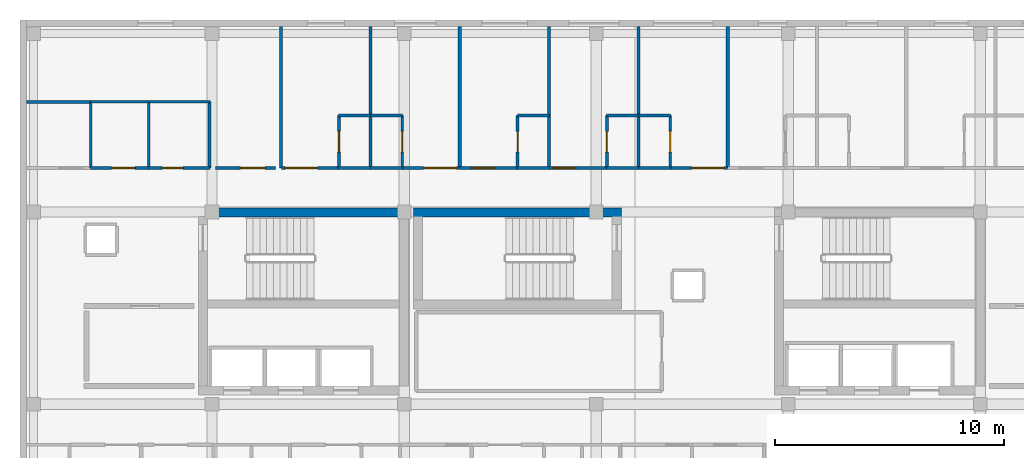
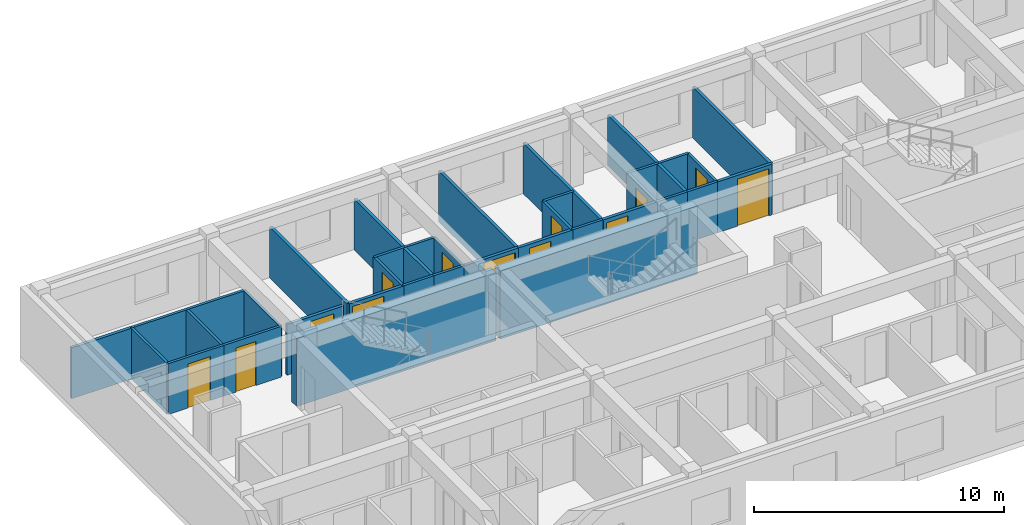
# One storey, part 4 of 9: 37 walls, 13 doors, 13 openings.
"""IFC4 building model written with IfcOpenShell, lengths in metres."""

import ifcopenshell
import ifcopenshell.guid

model = None  # the IFC model being written
_history = None  # IfcOwnerHistory: only IFC2X3 demands one
_inside = {}  # id of a spatial element -> (the spatial element, [elements in it])
_under = {}  # id of a project, library or spatial element -> (it, [spatial elements below it])
_declared = {}  # id of a project -> (the project, [libraries it declares])
_typed = {}  # id of a type object -> (the type object, [elements of that type])
_made_of = {}  # id of a material, layer set ... -> (it, [elements and type objects made of it])


def new_model(schema):
    """Start an empty IFC model of exactly this schema.

    Asked for "IFC4X3", IfcOpenShell would pick the latest addendum, in which some entities
    have other attributes; the version numbers below select the first issue.
    IFC2X3 requires an IfcOwnerHistory on every rooted entity: one is made here for all.
    """
    global model, _history
    if schema == "IFC4X3":
        model = ifcopenshell.file(schema_version=(4, 3, 0, 0))
    else:
        model = ifcopenshell.file(schema=schema)
    _inside.clear()
    _under.clear()
    _declared.clear()
    _typed.clear()
    _made_of.clear()
    _history = None
    if model.schema == "IFC2X3":
        org = make("IfcOrganization", Name="unknown")
        user = make(
            "IfcPersonAndOrganization",
            ThePerson=make("IfcPerson", FamilyName="unknown"),
            TheOrganization=org,
        )
        app = make(
            "IfcApplication",
            ApplicationDeveloper=org,
            Version="unknown",
            ApplicationFullName="unknown",
            ApplicationIdentifier="unknown",
        )
        _history = make(
            "IfcOwnerHistory",
            OwningUser=user,
            OwningApplication=app,
            ChangeAction="ADDED",
            CreationDate=0,
        )
    return model


def make(cls, **values):
    """One entity of the class cls with the attributes given. An attribute that is None is left unset."""
    return model.create_entity(
        cls, **{name: value for name, value in values.items() if value is not None}
    )


def rooted(cls, **values):
    """An entity with a GlobalId (a new one), such as an element, a storey or a relation."""
    return make(cls, GlobalId=ifcopenshell.guid.new(), OwnerHistory=_history, **values)


def si_unit(unit_type, name, prefix=None):
    """IfcSIUnit, for example si_unit("LENGTHUNIT", "METRE", prefix="MILLI")."""
    return make("IfcSIUnit", UnitType=unit_type, Prefix=prefix, Name=name)


def assignment(units):
    """IfcUnitAssignment: the units of a project."""
    return None if units is None else make("IfcUnitAssignment", Units=units)


def point(xyz):
    """IfcCartesianPoint."""
    return None if xyz is None else make("IfcCartesianPoint", Coordinates=xyz)


def direction(xyz):
    """IfcDirection."""
    return None if xyz is None else make("IfcDirection", DirectionRatios=xyz)


def frame(location, z_axis=None, x_axis=None):
    """IfcAxis2Placement3D, a coordinate frame: its origin and axes. An axis left out is left unset."""
    return make(
        "IfcAxis2Placement3D",
        Location=point(location),
        Axis=direction(z_axis),
        RefDirection=direction(x_axis),
    )


def frame_2d(location, x_axis=None):
    """IfcAxis2Placement2D, a coordinate frame in the plane: its origin and x axis."""
    return make(
        "IfcAxis2Placement2D", Location=point(location), RefDirection=direction(x_axis)
    )


def origin():
    """The frame at (0, 0, 0) with its axes left unset."""
    return frame((0.0, 0.0, 0.0))


def place(relative_to, where):
    """IfcLocalPlacement: puts the frame where relative to a parent placement (None: the world)."""
    return make(
        "IfcLocalPlacement", PlacementRelTo=relative_to, RelativePlacement=where
    )


def context(
    kind, dimensions, precision=None, world=None, true_north=None, identifier=None
):
    """IfcGeometricRepresentationContext, for example the 3D "Model" context."""
    return make(
        "IfcGeometricRepresentationContext",
        ContextIdentifier=identifier,
        ContextType=kind,
        CoordinateSpaceDimension=dimensions,
        Precision=precision,
        WorldCoordinateSystem=world,
        TrueNorth=true_north,
    )


def subcontext(parent, identifier, kind, view, scale=None):
    """IfcGeometricRepresentationSubContext, for example "Body" below "Model"."""
    return make(
        "IfcGeometricRepresentationSubContext",
        ContextIdentifier=identifier,
        ContextType=kind,
        ParentContext=parent,
        TargetScale=scale,
        TargetView=view,
    )


def project(units=None, contexts=None):
    """IfcProject with its units and contexts."""
    return rooted(
        "IfcProject",
        Name="project",
        RepresentationContexts=contexts,
        UnitsInContext=assignment(units),
    )


def spatial(cls, under=None, at=None, **own):
    """A site, building, storey or space (cls), placed at a placement, below another one or the project."""
    s = rooted(cls, ObjectPlacement=at, **own)
    if under is not None:
        _under.setdefault(under.id(), (under, []))[1].append(s)
    return s


def profile(cls, at=None, kind="AREA", **sizes):
    """A parametric profile (cls). Its sizes go by their IFC names, for example OverallWidth=200.0."""
    return make(cls, ProfileType=kind, Position=at, **sizes)


def rectangle(**sizes):
    """IfcRectangleProfileDef."""
    return profile("IfcRectangleProfileDef", **sizes)


def extrude(swept, where, along, depth):
    """IfcExtrudedAreaSolid: the profile swept, set in the frame where, extruded along a direction by depth."""
    return make(
        "IfcExtrudedAreaSolid",
        SweptArea=swept,
        Position=where,
        ExtrudedDirection=direction(along),
        Depth=depth,
    )


def shape(context_of_items, identifier, shape_type, items):
    """IfcShapeRepresentation: the items that make up one representation, for example the "Body"."""
    return make(
        "IfcShapeRepresentation",
        ContextOfItems=context_of_items,
        RepresentationIdentifier=identifier,
        RepresentationType=shape_type,
        Items=items,
    )


def material(Name=None, Category=None):
    """IfcMaterial."""
    return make("IfcMaterial", Name=Name, Category=Category)


def layer(
    of_material, thickness, ventilated=None, Name=None, Category=None, Priority=None
):
    """IfcMaterialLayer: one layer of a wall or slab, of a material (None: an air gap)."""
    return make(
        "IfcMaterialLayer",
        Material=of_material,
        LayerThickness=thickness,
        IsVentilated=ventilated,
        Name=Name,
        Category=Category,
        Priority=Priority,
    )


def layer_set(layers, Name=None):
    """IfcMaterialLayerSet."""
    return make("IfcMaterialLayerSet", MaterialLayers=layers, LayerSetName=Name)


def made_of(thing, what):
    """Note that an element or type object is made of a material, layer set ...; save() writes the relation."""
    if what is not None:
        _made_of.setdefault(what.id(), (what, []))[1].append(thing)
    return thing


def type_object(cls, material=None, **own):
    """A type object (cls), such as IfcWallType, which elements share."""
    return made_of(rooted(cls, **own), material)


def element(
    cls,
    number,
    at=None,
    inside=None,
    cuts=None,
    type_object=None,
    material=None,
    context=None,
    identifier="Body",
    shape_type=None,
    held_by="IfcProductDefinitionShape",
    body=None,
    shapes=None,
    **own,
):
    """One element of the class cls, such as IfcWall. Its Tag is "e" and its number.

    at: its placement. inside: the storey or other place that contains it. cuts: it is an
    opening in that element (IfcRelVoidsElement). A single representation is given by context,
    identifier, shape_type and body (its items); several are given by shapes. held_by: the class
    of the entity that holds the representations. save() writes the other relations.
    """
    e = rooted(cls, Tag="e%d" % number, ObjectPlacement=at, **own)
    if body is not None:
        shapes = [shape(context, identifier, shape_type, body)]
    if shapes is not None:
        e.Representation = make(held_by, Representations=shapes)
    if inside is not None:
        _inside.setdefault(inside.id(), (inside, []))[1].append(e)
    if cuts is not None:
        rooted(
            "IfcRelVoidsElement", RelatingBuildingElement=cuts, RelatedOpeningElement=e
        )
    if type_object is not None:
        _typed.setdefault(type_object.id(), (type_object, []))[1].append(e)
    return made_of(e, material)


def fill(opening, filler):
    """IfcRelFillsElement: the door or window that sits in an opening."""
    return rooted(
        "IfcRelFillsElement",
        RelatingOpeningElement=opening,
        RelatedBuildingElement=filler,
    )


def aggregate(whole, parts):
    """IfcRelAggregates: a whole, such as a stair, and the parts it consists of."""
    return rooted("IfcRelAggregates", RelatingObject=whole, RelatedObjects=parts)


def save(model, path):
    """Write the relations noted so far, then the file.

    IfcRelAggregates (storeys below a building ...), IfcRelContainedInSpatialStructure (elements
    in a storey), IfcRelDefinesByType, IfcRelAssociatesMaterial and IfcRelDeclares: one each for
    every whole, place, type object, material and project.
    """
    for whole, parts in _under.values():
        aggregate(whole, parts)
    for where, things in _inside.values():
        rooted(
            "IfcRelContainedInSpatialStructure",
            RelatedElements=things,
            RelatingStructure=where,
        )
    for kind, things in _typed.values():
        rooted("IfcRelDefinesByType", RelatedObjects=things, RelatingType=kind)
    for what, things in _made_of.values():
        rooted("IfcRelAssociatesMaterial", RelatedObjects=things, RelatingMaterial=what)
    for by, libraries in _declared.values():
        rooted("IfcRelDeclares", RelatingContext=by, RelatedDefinitions=libraries)
    model.write(path)


model = new_model("IFC4")

# Units and contexts
model_context = context("Model", 3, precision=1e-05, world=origin(), true_north=direction((0.0, 1.0)))
body_context = subcontext(model_context, "Body", "Model", "MODEL_VIEW")
ifc_project = project(units=[si_unit("LENGTHUNIT", "METRE"), si_unit("AREAUNIT", "SQUARE_METRE"), si_unit("VOLUMEUNIT", "CUBIC_METRE"), si_unit("PLANEANGLEUNIT", "RADIAN"), si_unit("MASSUNIT", "GRAM", prefix="KILO")], contexts=[model_context])

# Site, building, storey
site_placement = place(None, origin())
site = spatial("IfcSite", under=ifc_project, at=site_placement, CompositionType="ELEMENT")
building_placement = place(site_placement, origin())
building = spatial("IfcBuilding", under=site, at=building_placement, Name="Zayran Congress Hotel", CompositionType="ELEMENT")
storey_placement = place(building_placement, frame((0.0, 0.0, 37.199951171875)))
storey = spatial("IfcBuildingStorey", under=building, at=storey_placement, Name="L09", CompositionType="ELEMENT", Elevation=37.199951171875)

# Walls
ifc_material_1 = material(Name="Concrete C40/50", Category="concrete")
ifc_layer_1 = layer(ifc_material_1, 0.39990234375)
ifc_layer_set_1 = layer_set([ifc_layer_1], Name="Concrete C40/50")
wall_type_1 = type_object("IfcWallType", Name="WL-SH-400", PredefinedType="SHEAR", material=ifc_layer_set_1)
wall_1_placement = place(storey_placement, frame((33.800048828125, 25.5849609375, 0.0), z_axis=(0.0, 0.0, 1.0), x_axis=(-1.0, 0.0, 0.0)))
element("IfcWall", 1, at=wall_1_placement, inside=storey, type_object=wall_type_1, Name="CWALL-C-V5W-L09-N", PredefinedType="SHEAR", context=body_context, shape_type="SweptSolid", body=[
    extrude(rectangle(XDim=9.199951171875, YDim=0.39990234375, at=frame_2d((4.60009765625, 0.0))), origin(), (0.0, 0.0, 1.0), 3.320068359375),
])
wall_2_placement = place(storey_placement, frame((43.10009765625, 25.5849609375, 0.0), z_axis=(0.0, 0.0, 1.0), x_axis=(-1.0, 0.0, 0.0)))
element("IfcWall", 2, at=wall_2_placement, inside=storey, type_object=wall_type_1, Name="CWALL-C-V5M-L09-N", PredefinedType="SHEAR", context=body_context, shape_type="SweptSolid", body=[
    extrude(rectangle(XDim=9.10009765625, YDim=0.39990234375, at=frame_2d((4.550048828125, 0.0))), origin(), (0.0, 0.0, 1.0), 3.320068359375),
])

# Wall, opening, door
ifc_material_2 = material(Name="Hospitality guestroom acoustic partition", Category="gypsum")
ifc_layer_2 = layer(ifc_material_2, 0.139892578125)
ifc_layer_set_2 = layer_set([ifc_layer_2], Name="Hospitality guestroom acoustic partition")
wall_type_2 = type_object("IfcWallType", Name="WL-PT-140", PredefinedType="PARTITIONING", material=ifc_layer_set_2)
wall_3_placement = place(storey_placement, frame((25.360107421875, 27.530029296875, 0.0), z_axis=(0.0, 0.0, 1.0), x_axis=(1.0, 0.0, 0.0)))
wall_3 = element("IfcWall", 3, at=wall_3_placement, inside=storey, type_object=wall_type_2, Name="IW-L09-0799", PredefinedType="PARTITIONING", context=body_context, shape_type="SweptSolid", body=[
    extrude(rectangle(XDim=2.60986328125, YDim=0.139892578125, at=frame_2d((1.304931640625, 0.0))), origin(), (0.0, 0.0, 1.0), 2.47998046875),
])
opening_1_placement = place(wall_3_placement, frame((1.076904296875, 0.0, 0.0)))
opening_1 = element("IfcOpeningElement", 4, at=opening_1_placement, cuts=wall_3, Name="Opening DR-MT-01", PredefinedType="OPENING", context=body_context, shape_type="SweptSolid", body=[
    extrude(rectangle(XDim=1.080078125, YDim=2.25, at=frame_2d((0.5400390625, 1.125))), frame((0.0, 0.079833984375, 0.0), z_axis=(0.0, -1.0, 0.0), x_axis=(1.0, 0.0, 0.0)), (0.0, 0.0, 1.0), 0.159912109375),
])
ifc_material_3 = material(Name="Acoustic timber seminar room door", Category="wood")
door_type_1 = type_object("IfcDoorType", Name="TP-DR-MT-01", OperationType="NOTDEFINED", PredefinedType="DOOR", material=ifc_material_3)
door_1_placement = place(opening_1_placement, origin())
door_1 = element("IfcDoor", 5, at=door_1_placement, inside=storey, type_object=door_type_1, Name="Diplomatic Reception Salon L09 Door", OperationType="SINGLE_SWING_LEFT", OverallHeight=2.25, OverallWidth=1.080078125, PredefinedType="DOOR", context=body_context, shape_type="SweptSolid", body=[
    extrude(rectangle(XDim=1.080078125, YDim=2.25, at=frame_2d((0.5400390625, 1.125))), frame((0.0, 0.02490234375, 0.0), z_axis=(0.0, -1.0, 0.0), x_axis=(1.0, 0.0, 0.0)), (0.0, 0.0, 1.0), 0.050048828125),
])
fill(opening_1, door_1)

wall_4_placement = place(storey_placement, frame((28.239990234375, 27.530029296875, 0.0), z_axis=(0.0, 0.0, 1.0), x_axis=(1.0, 0.0, 0.0)))
wall_4 = element("IfcWall", 6, at=wall_4_placement, inside=storey, type_object=wall_type_2, Name="IW-L09-0800", PredefinedType="PARTITIONING", context=body_context, shape_type="SweptSolid", body=[
    extrude(rectangle(XDim=2.510009765625, YDim=0.139892578125, at=frame_2d((1.2548828125, 0.0))), origin(), (0.0, 0.0, 1.0), 2.47998046875),
])
opening_2_placement = place(wall_4_placement, frame((0.139892578125, 0.0, 0.0)))
opening_2 = element("IfcOpeningElement", 7, at=opening_2_placement, cuts=wall_4, Name="Opening DR-ST-01", PredefinedType="OPENING", context=body_context, shape_type="SweptSolid", body=[
    extrude(rectangle(XDim=1.449951171875, YDim=2.300048828125, at=frame_2d((0.72509765625, 1.14990234375))), frame((0.0, 0.079833984375, 0.0), z_axis=(0.0, -1.0, 0.0), x_axis=(1.0, 0.0, 0.0)), (0.0, 0.0, 1.0), 0.159912109375),
])
ifc_material_4 = material(Name="Double walnut veneer suite entry door", Category="wood")
door_type_2 = type_object("IfcDoorType", Name="TP-DR-ST-01", OperationType="DOUBLE_DOOR_SINGLE_SWING", PredefinedType="DOOR", material=ifc_material_4)
door_2_placement = place(opening_2_placement, origin())
door_2 = element("IfcDoor", 8, at=door_2_placement, inside=storey, type_object=door_type_2, Name="Diplomatic Suite L09-13 Door", OperationType="DOUBLE_DOOR_SINGLE_SWING", OverallHeight=2.300048828125, OverallWidth=1.449951171875, PredefinedType="DOOR", context=body_context, shape_type="SweptSolid", body=[
    extrude(rectangle(XDim=1.449951171875, YDim=2.300048828125, at=frame_2d((0.72509765625, 1.14990234375))), frame((0.0, 0.02490234375, 0.0), z_axis=(0.0, -1.0, 0.0), x_axis=(1.0, 0.0, 0.0)), (0.0, 0.0, 1.0), 0.050048828125),
])
fill(opening_2, door_2)

wall_5_placement = place(storey_placement, frame((33.52197265625, 27.530029296875, 0.0), z_axis=(0.0, 0.0, 1.0), x_axis=(1.0, 0.0, 0.0)))
wall_5 = element("IfcWall", 9, at=wall_5_placement, inside=storey, type_object=wall_type_2, Name="IW-L09-0801", PredefinedType="PARTITIONING", context=body_context, shape_type="SweptSolid", body=[
    extrude(rectangle(XDim=2.510009765625, YDim=0.139892578125, at=frame_2d((1.2548828125, 0.0))), origin(), (0.0, 0.0, 1.0), 2.47998046875),
])
opening_3_placement = place(wall_5_placement, frame((0.919921875, 0.0, 0.0)))
opening_3 = element("IfcOpeningElement", 10, at=opening_3_placement, cuts=wall_5, Name="Opening DR-ST-01", PredefinedType="OPENING", context=body_context, shape_type="SweptSolid", body=[
    extrude(rectangle(XDim=1.449951171875, YDim=2.300048828125, at=frame_2d((0.72509765625, 1.14990234375))), frame((0.0, 0.079833984375, 0.0), z_axis=(0.0, -1.0, 0.0), x_axis=(1.0, 0.0, 0.0)), (0.0, 0.0, 1.0), 0.159912109375),
])
door_3_placement = place(opening_3_placement, origin())
door_3 = element("IfcDoor", 11, at=door_3_placement, inside=storey, type_object=door_type_2, Name="Diplomatic Suite L09-14 Door", OperationType="DOUBLE_DOOR_SINGLE_SWING", OverallHeight=2.300048828125, OverallWidth=1.449951171875, PredefinedType="DOOR", context=body_context, shape_type="SweptSolid", body=[
    extrude(rectangle(XDim=1.449951171875, YDim=2.300048828125, at=frame_2d((0.72509765625, 1.14990234375))), frame((0.0, 0.02490234375, 0.0), z_axis=(0.0, -1.0, 0.0), x_axis=(1.0, 0.0, 0.0)), (0.0, 0.0, 1.0), 0.050048828125),
])
fill(opening_3, door_3)

wall_6_placement = place(storey_placement, frame((36.052001953125, 27.530029296875, 0.0), z_axis=(0.0, 0.0, 1.0), x_axis=(1.0, 0.0, 0.0)))
wall_6 = element("IfcWall", 12, at=wall_6_placement, inside=storey, type_object=wall_type_2, Name="IW-L09-0802", PredefinedType="PARTITIONING", context=body_context, shape_type="SweptSolid", body=[
    extrude(rectangle(XDim=2.509033203125, YDim=0.139892578125, at=frame_2d((1.25439453125, 0.0))), origin(), (0.0, 0.0, 1.0), 2.47998046875),
])
opening_4_placement = place(wall_6_placement, frame((0.490966796875, 0.0, 0.0)))
opening_4 = element("IfcOpeningElement", 13, at=opening_4_placement, cuts=wall_6, Name="Opening DR-GR-04", PredefinedType="OPENING", context=body_context, shape_type="SweptSolid", body=[
    extrude(rectangle(XDim=1.0, YDim=2.280029296875, at=frame_2d((0.5, 1.14013671875))), frame((0.0, 0.079833984375, 0.0), z_axis=(0.0, -1.0, 0.0), x_axis=(1.0, 0.0, 0.0)), (0.0, 0.0, 1.0), 0.159912109375),
])
ifc_material_5 = material(Name="Diplomatic walnut veneer entry door", Category="wood")
door_type_3 = type_object("IfcDoorType", Name="TP-DR-GR-04", OperationType="NOTDEFINED", PredefinedType="DOOR", material=ifc_material_5)
door_4_placement = place(opening_4_placement, origin())
door_4 = element("IfcDoor", 14, at=door_4_placement, inside=storey, type_object=door_type_3, Name="Guest Room L09-15 Door", OperationType="SINGLE_SWING_RIGHT", OverallHeight=2.280029296875, OverallWidth=1.0, PredefinedType="DOOR", context=body_context, shape_type="SweptSolid", body=[
    extrude(rectangle(XDim=1.0, YDim=2.280029296875, at=frame_2d((0.5, 1.14013671875))), frame((0.0, 0.02490234375, 0.0), z_axis=(0.0, -1.0, 0.0), x_axis=(1.0, 0.0, 0.0)), (0.0, 0.0, 1.0), 0.050048828125),
])
fill(opening_4, door_4)

wall_7_placement = place(storey_placement, frame((39.95703125, 27.530029296875, 0.0), z_axis=(0.0, 0.0, 1.0), x_axis=(1.0, 0.0, 0.0)))
wall_7 = element("IfcWall", 15, at=wall_7_placement, inside=storey, type_object=wall_type_2, Name="IW-L09-0803", PredefinedType="PARTITIONING", context=body_context, shape_type="SweptSolid", body=[
    extrude(rectangle(XDim=2.510009765625, YDim=0.139892578125, at=frame_2d((1.2548828125, 0.0))), origin(), (0.0, 0.0, 1.0), 2.47998046875),
])
opening_5_placement = place(wall_7_placement, frame((0.139892578125, 0.0, 0.0)))
opening_5 = element("IfcOpeningElement", 16, at=opening_5_placement, cuts=wall_7, Name="Opening DR-GR-04", PredefinedType="OPENING", context=body_context, shape_type="SweptSolid", body=[
    extrude(rectangle(XDim=1.0, YDim=2.280029296875, at=frame_2d((0.5, 1.14013671875))), frame((0.0, 0.079833984375, 0.0), z_axis=(0.0, -1.0, 0.0), x_axis=(1.0, 0.0, 0.0)), (0.0, 0.0, 1.0), 0.159912109375),
])
door_5_placement = place(opening_5_placement, origin())
door_5 = element("IfcDoor", 17, at=door_5_placement, inside=storey, type_object=door_type_3, Name="Guest Room L09-16 Door", OperationType="SINGLE_SWING_LEFT", OverallHeight=2.280029296875, OverallWidth=1.0, PredefinedType="DOOR", context=body_context, shape_type="SweptSolid", body=[
    extrude(rectangle(XDim=1.0, YDim=2.280029296875, at=frame_2d((0.5, 1.14013671875))), frame((0.0, 0.02490234375, 0.0), z_axis=(0.0, -1.0, 0.0), x_axis=(1.0, 0.0, 0.0)), (0.0, 0.0, 1.0), 0.050048828125),
])
fill(opening_5, door_5)

wall_8_placement = place(storey_placement, frame((45.239013671875, 27.530029296875, 0.0), z_axis=(0.0, 0.0, 1.0), x_axis=(1.0, 0.0, 0.0)))
wall_8 = element("IfcWall", 18, at=wall_8_placement, inside=storey, type_object=wall_type_2, Name="IW-L09-0804", PredefinedType="PARTITIONING", context=body_context, shape_type="SweptSolid", body=[
    extrude(rectangle(XDim=2.510009765625, YDim=0.139892578125, at=frame_2d((1.2548828125, 0.0))), origin(), (0.0, 0.0, 1.0), 2.47998046875),
])
opening_6_placement = place(wall_8_placement, frame((0.919921875, 0.0, 0.0)))
opening_6 = element("IfcOpeningElement", 19, at=opening_6_placement, cuts=wall_8, Name="Opening DR-ST-01", PredefinedType="OPENING", context=body_context, shape_type="SweptSolid", body=[
    extrude(rectangle(XDim=1.449951171875, YDim=2.300048828125, at=frame_2d((0.72509765625, 1.14990234375))), frame((0.0, 0.079833984375, 0.0), z_axis=(0.0, -1.0, 0.0), x_axis=(1.0, 0.0, 0.0)), (0.0, 0.0, 1.0), 0.159912109375),
])
door_6_placement = place(opening_6_placement, origin())
door_6 = element("IfcDoor", 20, at=door_6_placement, inside=storey, type_object=door_type_2, Name="Executive Suite L09-17 Door", OperationType="DOUBLE_DOOR_SINGLE_SWING", OverallHeight=2.300048828125, OverallWidth=1.449951171875, PredefinedType="DOOR", context=body_context, shape_type="SweptSolid", body=[
    extrude(rectangle(XDim=1.449951171875, YDim=2.300048828125, at=frame_2d((0.72509765625, 1.14990234375))), frame((0.0, 0.02490234375, 0.0), z_axis=(0.0, -1.0, 0.0), x_axis=(1.0, 0.0, 0.0)), (0.0, 0.0, 1.0), 0.050048828125),
])
fill(opening_6, door_6)

# Walls
wall_9_placement = place(storey_placement, frame((17.080078125, 30.419921875, 0.0), z_axis=(0.0, 0.0, 1.0), x_axis=(1.0, 0.0, 0.0)))
element("IfcWall", 21, at=wall_9_placement, inside=storey, type_object=wall_type_2, Name="IW-L09-2133", PredefinedType="PARTITIONING", context=body_context, shape_type="SweptSolid", body=[
    extrude(rectangle(XDim=2.7998046875, YDim=0.139892578125, at=frame_2d((1.39990234375, 0.0))), origin(), (0.0, 0.0, 1.0), 2.47998046875),
])
for number, where, z_axis, x_axis, name in (
    (22, (28.219970703125, 27.52001953125, 0.0), (0.0, 0.0, 1.0), (0.0, 1.0, 0.0), "IW-L09-2134"),
    (23, (32.1259765625, 27.52001953125, 0.0), (0.0, 0.0, 1.0), (0.0, 1.0, 0.0), "IW-L09-2135"),
    (24, (36.031982421875, 27.52001953125, 0.0), (0.0, 0.0, 1.0), (0.0, 1.0, 0.0), "IW-L09-2136"),
    (25, (39.93701171875, 27.52001953125, 0.0), (0.0, 0.0, 1.0), (0.0, 1.0, 0.0), "IW-L09-2137"),
    (26, (43.843017578125, 27.52001953125, 0.0), (0.0, 0.0, 1.0), (0.0, 1.0, 0.0), "IW-L09-2138"),
    (27, (47.7490234375, 27.52001953125, 0.0), (0.0, 0.0, 1.0), (0.0, 1.0, 0.0), "IW-L09-2139"),
):
    element("IfcWall", number, at=place(storey_placement, frame(where, z_axis=z_axis, x_axis=x_axis)), inside=storey, type_object=wall_type_2, Name=name, PredefinedType="PARTITIONING", context=body_context, shape_type="SweptSolid", body=[
        extrude(rectangle(XDim=6.199951171875, YDim=0.139892578125, at=frame_2d((3.10009765625, 0.0))), origin(), (0.0, 0.0, 1.0), 2.47998046875),
    ])

# Wall, opening, door
ifc_material_6 = material(Name="Moisture-resistant bathroom partition", Category="gypsum")
ifc_layer_3 = layer(ifc_material_6, 0.1201171875)
ifc_layer_set_3 = layer_set([ifc_layer_3], Name="Moisture-resistant bathroom partition")
wall_type_3 = type_object("IfcWallType", Name="WL-PT-120", PredefinedType="PARTITIONING", material=ifc_layer_set_3)
wall_10_placement = place(storey_placement, frame((30.75, 27.52001953125, 0.0), z_axis=(0.0, 0.0, 1.0), x_axis=(0.0, 1.0, 0.0)))
wall_10 = element("IfcWall", 28, at=wall_10_placement, inside=storey, type_object=wall_type_3, Name="IW-L09-0283", PredefinedType="PARTITIONING", context=body_context, shape_type="SweptSolid", body=[
    extrude(rectangle(XDim=2.31005859375, YDim=0.1201171875, at=frame_2d((1.155029296875, 0.0))), origin(), (0.0, 0.0, 1.0), 2.47998046875),
])
opening_7_placement = place(wall_10_placement, frame((0.705078125, 0.0, 0.0)))
opening_7 = element("IfcOpeningElement", 29, at=opening_7_placement, cuts=wall_10, Name="Opening DR-BT-03", PredefinedType="OPENING", context=body_context, shape_type="SweptSolid", body=[
    extrude(rectangle(XDim=0.89990234375, YDim=2.179931640625, at=frame_2d((0.449951171875, 1.08984375))), frame((0.0, 0.070068359375, 0.0), z_axis=(0.0, -1.0, 0.0), x_axis=(1.0, 0.0, 0.0)), (0.0, 0.0, 1.0), 0.14013671875),
])
ifc_material_7 = material(Name="Suite oak en-suite bathroom door", Category="wood")
door_type_4 = type_object("IfcDoorType", Name="TP-DR-BT-03", OperationType="NOTDEFINED", PredefinedType="DOOR", material=ifc_material_7)
door_7_placement = place(opening_7_placement, origin())
door_7 = element("IfcDoor", 30, at=door_7_placement, inside=storey, type_object=door_type_4, Name="En-Suite Bathroom L09-13 Door", OperationType="SINGLE_SWING_RIGHT", OverallHeight=2.179931640625, OverallWidth=0.89990234375, PredefinedType="DOOR", context=body_context, shape_type="SweptSolid", body=[
    extrude(rectangle(XDim=0.89990234375, YDim=2.179931640625, at=frame_2d((0.449951171875, 1.08984375))), frame((0.0, 0.02490234375, 0.0), z_axis=(0.0, -1.0, 0.0), x_axis=(1.0, 0.0, 0.0)), (0.0, 0.0, 1.0), 0.050048828125),
])
fill(opening_7, door_7)

wall_11_placement = place(storey_placement, frame((33.52197265625, 27.52001953125, 0.0), z_axis=(0.0, 0.0, 1.0), x_axis=(0.0, 1.0, 0.0)))
wall_11 = element("IfcWall", 31, at=wall_11_placement, inside=storey, type_object=wall_type_3, Name="IW-L09-0284", PredefinedType="PARTITIONING", context=body_context, shape_type="SweptSolid", body=[
    extrude(rectangle(XDim=2.31005859375, YDim=0.1201171875, at=frame_2d((1.155029296875, 0.0))), origin(), (0.0, 0.0, 1.0), 2.47998046875),
])
opening_8_placement = place(wall_11_placement, frame((0.705078125, 0.0, 0.0)))
opening_8 = element("IfcOpeningElement", 32, at=opening_8_placement, cuts=wall_11, Name="Opening DR-BT-03", PredefinedType="OPENING", context=body_context, shape_type="SweptSolid", body=[
    extrude(rectangle(XDim=0.89990234375, YDim=2.179931640625, at=frame_2d((0.449951171875, 1.08984375))), frame((0.0, 0.070068359375, 0.0), z_axis=(0.0, -1.0, 0.0), x_axis=(1.0, 0.0, 0.0)), (0.0, 0.0, 1.0), 0.14013671875),
])
door_8_placement = place(opening_8_placement, origin())
door_8 = element("IfcDoor", 33, at=door_8_placement, inside=storey, type_object=door_type_4, Name="En-Suite Bathroom L09-14 Door", OperationType="SINGLE_SWING_LEFT", OverallHeight=2.179931640625, OverallWidth=0.89990234375, PredefinedType="DOOR", context=body_context, shape_type="SweptSolid", body=[
    extrude(rectangle(XDim=0.89990234375, YDim=2.179931640625, at=frame_2d((0.449951171875, 1.08984375))), frame((0.0, 0.02490234375, 0.0), z_axis=(0.0, -1.0, 0.0), x_axis=(1.0, 0.0, 0.0)), (0.0, 0.0, 1.0), 0.050048828125),
])
fill(opening_8, door_8)

wall_12_placement = place(storey_placement, frame((38.56103515625, 27.52001953125, 0.0), z_axis=(0.0, 0.0, 1.0), x_axis=(0.0, 1.0, 0.0)))
wall_12 = element("IfcWall", 34, at=wall_12_placement, inside=storey, type_object=wall_type_3, Name="IW-L09-0285", PredefinedType="PARTITIONING", context=body_context, shape_type="SweptSolid", body=[
    extrude(rectangle(XDim=2.31005859375, YDim=0.1201171875, at=frame_2d((1.155029296875, 0.0))), origin(), (0.0, 0.0, 1.0), 2.47998046875),
])
opening_9_placement = place(wall_12_placement, frame((0.705078125, 0.0, 0.0)))
opening_9 = element("IfcOpeningElement", 35, at=opening_9_placement, cuts=wall_12, Name="Opening DR-BT-03", PredefinedType="OPENING", context=body_context, shape_type="SweptSolid", body=[
    extrude(rectangle(XDim=0.89990234375, YDim=2.179931640625, at=frame_2d((0.449951171875, 1.08984375))), frame((0.0, 0.070068359375, 0.0), z_axis=(0.0, -1.0, 0.0), x_axis=(1.0, 0.0, 0.0)), (0.0, 0.0, 1.0), 0.14013671875),
])
door_9_placement = place(opening_9_placement, origin())
door_9 = element("IfcDoor", 36, at=door_9_placement, inside=storey, type_object=door_type_4, Name="En-Suite Bathroom L09-15 Door", OperationType="SINGLE_SWING_RIGHT", OverallHeight=2.179931640625, OverallWidth=0.89990234375, PredefinedType="DOOR", context=body_context, shape_type="SweptSolid", body=[
    extrude(rectangle(XDim=0.89990234375, YDim=2.179931640625, at=frame_2d((0.449951171875, 1.08984375))), frame((0.0, 0.02490234375, 0.0), z_axis=(0.0, -1.0, 0.0), x_axis=(1.0, 0.0, 0.0)), (0.0, 0.0, 1.0), 0.050048828125),
])
fill(opening_9, door_9)

wall_13_placement = place(storey_placement, frame((42.467041015625, 27.52001953125, 0.0), z_axis=(0.0, 0.0, 1.0), x_axis=(0.0, 1.0, 0.0)))
wall_13 = element("IfcWall", 37, at=wall_13_placement, inside=storey, type_object=wall_type_3, Name="IW-L09-0286", PredefinedType="PARTITIONING", context=body_context, shape_type="SweptSolid", body=[
    extrude(rectangle(XDim=2.31005859375, YDim=0.1201171875, at=frame_2d((1.155029296875, 0.0))), origin(), (0.0, 0.0, 1.0), 2.47998046875),
])
opening_10_placement = place(wall_13_placement, frame((0.705078125, 0.0, 0.0)))
opening_10 = element("IfcOpeningElement", 38, at=opening_10_placement, cuts=wall_13, Name="Opening DR-BT-03", PredefinedType="OPENING", context=body_context, shape_type="SweptSolid", body=[
    extrude(rectangle(XDim=0.89990234375, YDim=2.179931640625, at=frame_2d((0.449951171875, 1.08984375))), frame((0.0, 0.070068359375, 0.0), z_axis=(0.0, -1.0, 0.0), x_axis=(1.0, 0.0, 0.0)), (0.0, 0.0, 1.0), 0.14013671875),
])
door_10_placement = place(opening_10_placement, origin())
door_10 = element("IfcDoor", 39, at=door_10_placement, inside=storey, type_object=door_type_4, Name="En-Suite Bathroom L09-16 Door", OperationType="SINGLE_SWING_LEFT", OverallHeight=2.179931640625, OverallWidth=0.89990234375, PredefinedType="DOOR", context=body_context, shape_type="SweptSolid", body=[
    extrude(rectangle(XDim=0.89990234375, YDim=2.179931640625, at=frame_2d((0.449951171875, 1.08984375))), frame((0.0, 0.02490234375, 0.0), z_axis=(0.0, -1.0, 0.0), x_axis=(1.0, 0.0, 0.0)), (0.0, 0.0, 1.0), 0.050048828125),
])
fill(opening_10, door_10)

wall_14_placement = place(storey_placement, frame((45.239013671875, 27.52001953125, 0.0), z_axis=(0.0, 0.0, 1.0), x_axis=(0.0, 1.0, 0.0)))
wall_14 = element("IfcWall", 40, at=wall_14_placement, inside=storey, type_object=wall_type_3, Name="IW-L09-0287", PredefinedType="PARTITIONING", context=body_context, shape_type="SweptSolid", body=[
    extrude(rectangle(XDim=2.31005859375, YDim=0.1201171875, at=frame_2d((1.155029296875, 0.0))), origin(), (0.0, 0.0, 1.0), 2.47998046875),
])
opening_11_placement = place(wall_14_placement, frame((0.705078125, 0.0, 0.0)))
opening_11 = element("IfcOpeningElement", 41, at=opening_11_placement, cuts=wall_14, Name="Opening DR-BT-03", PredefinedType="OPENING", context=body_context, shape_type="SweptSolid", body=[
    extrude(rectangle(XDim=0.89990234375, YDim=2.179931640625, at=frame_2d((0.449951171875, 1.08984375))), frame((0.0, 0.070068359375, 0.0), z_axis=(0.0, -1.0, 0.0), x_axis=(1.0, 0.0, 0.0)), (0.0, 0.0, 1.0), 0.14013671875),
])
door_11_placement = place(opening_11_placement, origin())
door_11 = element("IfcDoor", 42, at=door_11_placement, inside=storey, type_object=door_type_4, Name="En-Suite Bathroom L09-17 Door", OperationType="SINGLE_SWING_RIGHT", OverallHeight=2.179931640625, OverallWidth=0.89990234375, PredefinedType="DOOR", context=body_context, shape_type="SweptSolid", body=[
    extrude(rectangle(XDim=0.89990234375, YDim=2.179931640625, at=frame_2d((0.449951171875, 1.08984375))), frame((0.0, 0.02490234375, 0.0), z_axis=(0.0, -1.0, 0.0), x_axis=(1.0, 0.0, 0.0)), (0.0, 0.0, 1.0), 0.050048828125),
])
fill(opening_11, door_11)

wall_15_placement = place(storey_placement, frame((19.8798828125, 27.530029296875, 0.0), z_axis=(0.0, 0.0, 1.0), x_axis=(1.0, 0.0, 0.0)))
wall_15 = element("IfcWall", 43, at=wall_15_placement, inside=storey, type_object=wall_type_3, Name="IW-L09-0373", PredefinedType="PARTITIONING", context=body_context, shape_type="SweptSolid", body=[
    extrude(rectangle(XDim=2.56005859375, YDim=0.1201171875, at=frame_2d((1.280029296875, 0.0))), origin(), (0.0, 0.0, 1.0), 2.47998046875),
])
opening_12_placement = place(wall_15_placement, frame((0.9140625, 0.0, 0.0)))
opening_12 = element("IfcOpeningElement", 44, at=opening_12_placement, cuts=wall_15, Name="Opening DR-WC-02", PredefinedType="OPENING", context=body_context, shape_type="SweptSolid", body=[
    extrude(rectangle(XDim=1.0400390625, YDim=2.14990234375, at=frame_2d((0.52001953125, 1.074951171875))), frame((0.0, 0.070068359375, 0.0), z_axis=(0.0, -1.0, 0.0), x_axis=(1.0, 0.0, 0.0)), (0.0, 0.0, 1.0), 0.14013671875),
])
ifc_material_8 = material(Name="Accessible public washroom door", Category="steel")
door_type_5 = type_object("IfcDoorType", Name="TP-DR-WC-02", OperationType="NOTDEFINED", PredefinedType="DOOR", material=ifc_material_8)
door_12_placement = place(opening_12_placement, origin())
door_12 = element("IfcDoor", 45, at=door_12_placement, inside=storey, type_object=door_type_5, Name="Accessible WC L09 Door", OperationType="SINGLE_SWING_RIGHT", OverallHeight=2.14990234375, OverallWidth=1.0400390625, PredefinedType="DOOR", context=body_context, shape_type="SweptSolid", body=[
    extrude(rectangle(XDim=1.0400390625, YDim=2.14990234375, at=frame_2d((0.52001953125, 1.074951171875))), frame((0.0, 0.02490234375, 0.0), z_axis=(0.0, -1.0, 0.0), x_axis=(1.0, 0.0, 0.0)), (0.0, 0.0, 1.0), 0.050048828125),
])
fill(opening_12, door_12)

wall_16_placement = place(storey_placement, frame((22.43994140625, 27.530029296875, 0.0), z_axis=(0.0, 0.0, 1.0), x_axis=(1.0, 0.0, 0.0)))
wall_16 = element("IfcWall", 46, at=wall_16_placement, inside=storey, type_object=wall_type_3, Name="IW-L09-0374", PredefinedType="PARTITIONING", context=body_context, shape_type="SweptSolid", body=[
    extrude(rectangle(XDim=2.66015625, YDim=0.1201171875, at=frame_2d((1.330078125, 0.0))), origin(), (0.0, 0.0, 1.0), 2.47998046875),
])
opening_13_placement = place(wall_16_placement, frame((0.56103515625, 0.0, 0.0)))
opening_13 = element("IfcOpeningElement", 47, at=opening_13_placement, cuts=wall_16, Name="Opening DR-WC-01", PredefinedType="OPENING", context=body_context, shape_type="SweptSolid", body=[
    extrude(rectangle(XDim=0.919921875, YDim=2.14990234375, at=frame_2d((0.4599609375, 1.074951171875))), frame((0.0, 0.070068359375, 0.0), z_axis=(0.0, -1.0, 0.0), x_axis=(1.0, 0.0, 0.0)), (0.0, 0.0, 1.0), 0.14013671875),
])
ifc_material_9 = material(Name="Laminated timber public washroom door", Category="wood")
door_type_6 = type_object("IfcDoorType", Name="TP-DR-WC-01", OperationType="NOTDEFINED", PredefinedType="DOOR", material=ifc_material_9)
door_13_placement = place(opening_13_placement, origin())
door_13 = element("IfcDoor", 48, at=door_13_placement, inside=storey, type_object=door_type_6, Name="Public WC L09 Door", OperationType="SINGLE_SWING_LEFT", OverallHeight=2.14990234375, OverallWidth=0.919921875, PredefinedType="DOOR", context=body_context, shape_type="SweptSolid", body=[
    extrude(rectangle(XDim=0.919921875, YDim=2.14990234375, at=frame_2d((0.4599609375, 1.074951171875))), frame((0.0, 0.02490234375, 0.0), z_axis=(0.0, -1.0, 0.0), x_axis=(1.0, 0.0, 0.0)), (0.0, 0.0, 1.0), 0.050048828125),
])
fill(opening_13, door_13)

# Walls
for number, where, z_axis, x_axis, name in (
    (49, (30.739990234375, 27.530029296875, 0.0), (0.0, 0.0, 1.0), (1.0, 0.0, 0.0), "IW-L09-1433"),
    (50, (30.739990234375, 29.820068359375, 0.0), (0.0, 0.0, 1.0), (1.0, 0.0, 0.0), "IW-L09-1434"),
    (51, (32.135986328125, 27.530029296875, 0.0), (0.0, 0.0, 1.0), (1.0, 0.0, 0.0), "IW-L09-1435"),
    (52, (32.135986328125, 29.820068359375, 0.0), (0.0, 0.0, 1.0), (1.0, 0.0, 0.0), "IW-L09-1436"),
    (53, (38.551025390625, 27.530029296875, 0.0), (0.0, 0.0, 1.0), (1.0, 0.0, 0.0), "IW-L09-1437"),
    (54, (38.551025390625, 29.820068359375, 0.0), (0.0, 0.0, 1.0), (1.0, 0.0, 0.0), "IW-L09-1438"),
    (55, (42.45703125, 27.530029296875, 0.0), (0.0, 0.0, 1.0), (1.0, 0.0, 0.0), "IW-L09-1439"),
    (56, (42.45703125, 29.820068359375, 0.0), (0.0, 0.0, 1.0), (1.0, 0.0, 0.0), "IW-L09-1440"),
):
    element("IfcWall", number, at=place(storey_placement, frame(where, z_axis=z_axis, x_axis=x_axis)), inside=storey, type_object=wall_type_3, Name=name, PredefinedType="PARTITIONING", context=body_context, shape_type="SweptSolid", body=[
        extrude(rectangle(XDim=1.39599609375, YDim=0.1201171875, at=frame_2d((0.697998046875, 0.0))), origin(), (0.0, 0.0, 1.0), 2.47998046875),
    ])
wall_17_placement = place(storey_placement, frame((43.85302734375, 27.530029296875, 0.0), z_axis=(0.0, 0.0, 1.0), x_axis=(1.0, 0.0, 0.0)))
element("IfcWall", 57, at=wall_17_placement, inside=storey, type_object=wall_type_3, Name="IW-L09-1441", PredefinedType="PARTITIONING", context=body_context, shape_type="SweptSolid", body=[
    extrude(rectangle(XDim=1.385986328125, YDim=0.1201171875, at=frame_2d((0.69287109375, 0.0))), origin(), (0.0, 0.0, 1.0), 2.47998046875),
])
wall_18_placement = place(storey_placement, frame((43.85302734375, 29.820068359375, 0.0), z_axis=(0.0, 0.0, 1.0), x_axis=(1.0, 0.0, 0.0)))
element("IfcWall", 58, at=wall_18_placement, inside=storey, type_object=wall_type_3, Name="IW-L09-1442", PredefinedType="PARTITIONING", context=body_context, shape_type="SweptSolid", body=[
    extrude(rectangle(XDim=1.39599609375, YDim=0.1201171875, at=frame_2d((0.697998046875, 0.0))), origin(), (0.0, 0.0, 1.0), 2.47998046875),
])
wall_19_placement = place(storey_placement, frame((19.8798828125, 30.419921875, 0.0), z_axis=(0.0, 0.0, 1.0), x_axis=(1.0, 0.0, 0.0)))
element("IfcWall", 59, at=wall_19_placement, inside=storey, type_object=wall_type_3, Name="IW-L09-1617", PredefinedType="PARTITIONING", context=body_context, shape_type="SweptSolid", body=[
    extrude(rectangle(XDim=2.56005859375, YDim=0.1201171875, at=frame_2d((1.280029296875, 0.0))), origin(), (0.0, 0.0, 1.0), 2.47998046875),
])
for number, where, z_axis, x_axis, name in (
    (60, (19.889892578125, 27.52001953125, 0.0), (0.0, 0.0, 1.0), (0.0, 1.0, 0.0), "IW-L09-1618"),
    (61, (22.429931640625, 27.52001953125, 0.0), (0.0, 0.0, 1.0), (0.0, 1.0, 0.0), "IW-L09-1619"),
):
    element("IfcWall", number, at=place(storey_placement, frame(where, z_axis=z_axis, x_axis=x_axis)), inside=storey, type_object=wall_type_3, Name=name, PredefinedType="PARTITIONING", context=body_context, shape_type="SweptSolid", body=[
        extrude(rectangle(XDim=2.909912109375, YDim=0.1201171875, at=frame_2d((1.455078125, 0.0))), origin(), (0.0, 0.0, 1.0), 2.47998046875),
    ])
wall_20_placement = place(storey_placement, frame((22.43994140625, 30.419921875, 0.0), z_axis=(0.0, 0.0, 1.0), x_axis=(1.0, 0.0, 0.0)))
element("IfcWall", 62, at=wall_20_placement, inside=storey, type_object=wall_type_3, Name="IW-L09-1620", PredefinedType="PARTITIONING", context=body_context, shape_type="SweptSolid", body=[
    extrude(rectangle(XDim=2.66015625, YDim=0.1201171875, at=frame_2d((1.330078125, 0.0))), origin(), (0.0, 0.0, 1.0), 2.47998046875),
])
wall_21_placement = place(storey_placement, frame((25.090087890625, 27.52001953125, 0.0), z_axis=(0.0, 0.0, 1.0), x_axis=(0.0, 1.0, 0.0)))
element("IfcWall", 63, at=wall_21_placement, inside=storey, type_object=wall_type_3, Name="IW-L09-1621", PredefinedType="PARTITIONING", context=body_context, shape_type="SweptSolid", body=[
    extrude(rectangle(XDim=2.909912109375, YDim=0.1201171875, at=frame_2d((1.455078125, 0.0))), origin(), (0.0, 0.0, 1.0), 2.47998046875),
])

save(model, "model.ifc")
